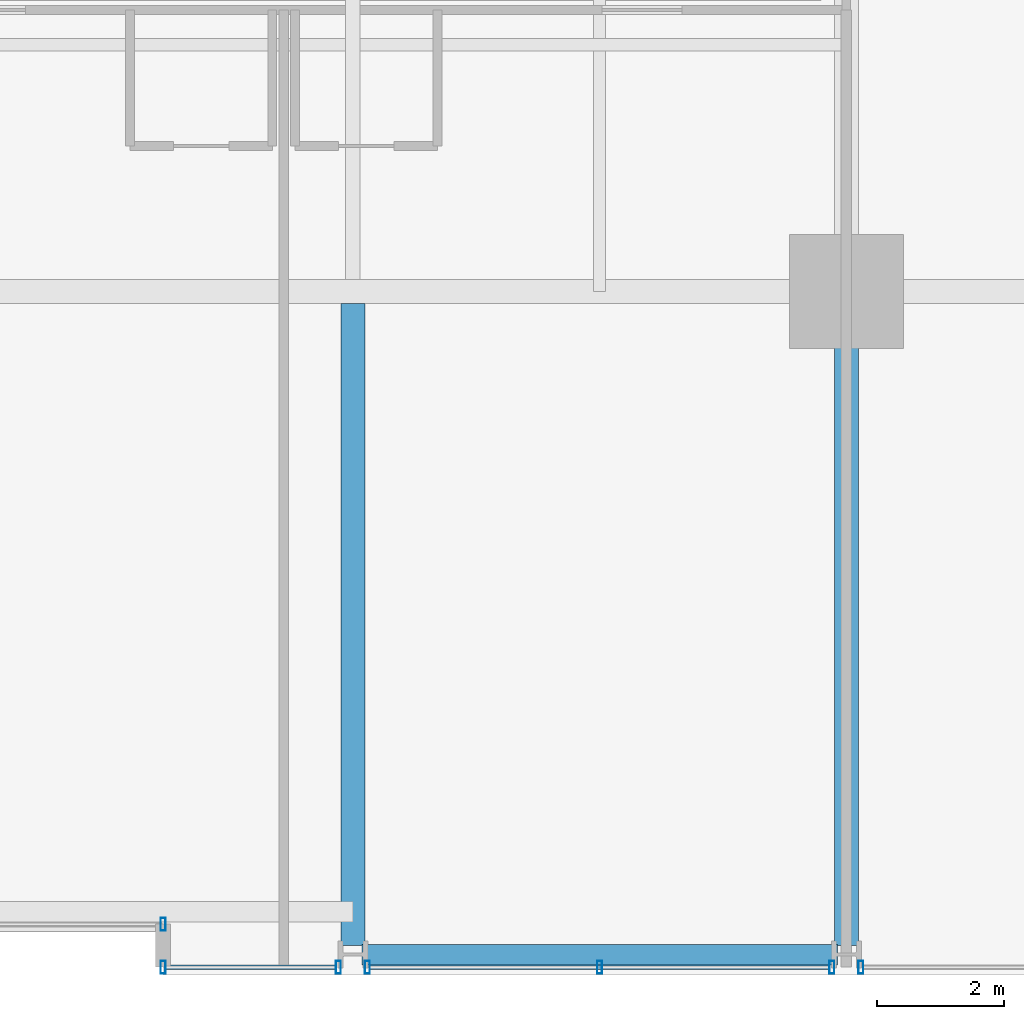
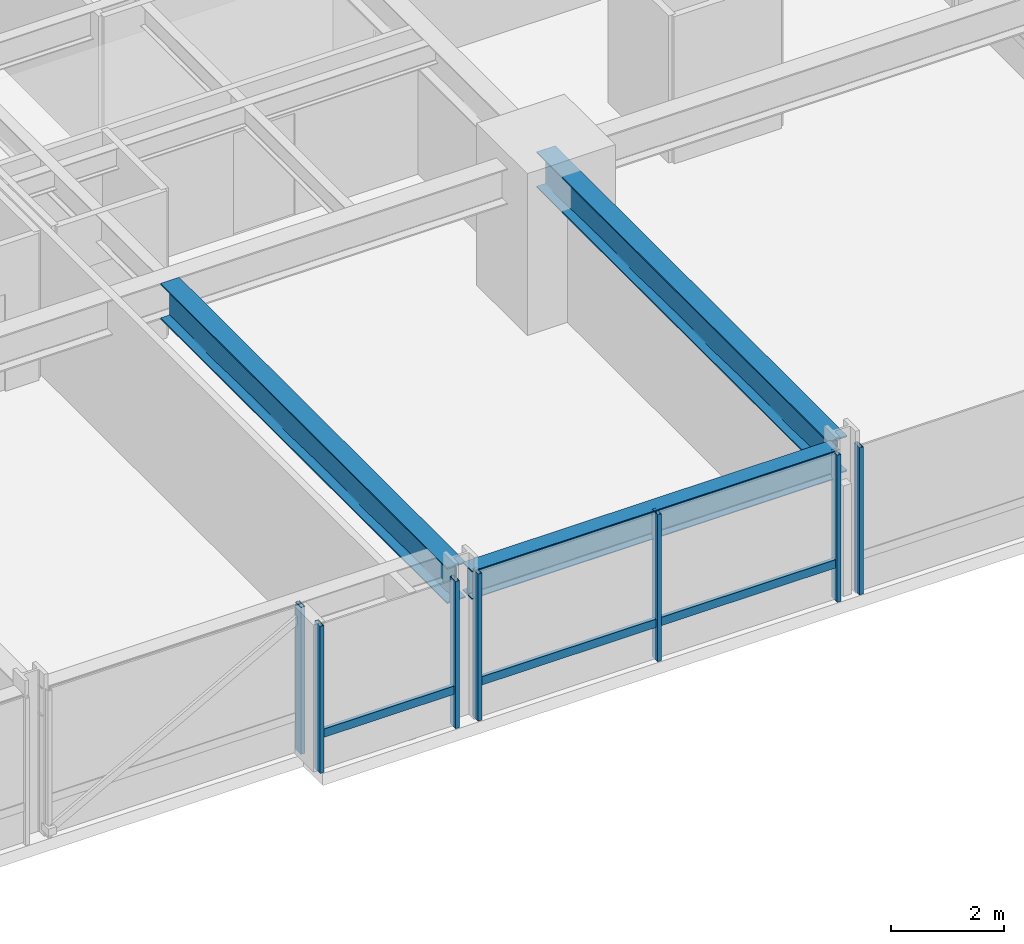
# One storey, part 11 of 37: 9 members, 3 beams, 4 elements without a shape of their own.
"""IFC4 building model written with IfcOpenShell, lengths in metres."""

from ifc_helpers import new_model, si_unit, direction, frame, origin, origin_2d, place, context, subcontext, project, spatial, hollow_rectangle, i_section, extrude, material, layer, layer_set, material_profile, profile_set, type_object, element, aggregate, save


model = new_model("IFC4")

# Units and contexts
model_context = context("Model", 3, precision=1e-05, world=origin(), true_north=direction((0.0, 1.0)))
body_context = subcontext(model_context, "Body", "Model", "MODEL_VIEW")
ifc_project = project(units=[si_unit("LENGTHUNIT", "METRE"), si_unit("AREAUNIT", "SQUARE_METRE"), si_unit("VOLUMEUNIT", "CUBIC_METRE"), si_unit("PLANEANGLEUNIT", "RADIAN"), si_unit("MASSUNIT", "GRAM", prefix="KILO")], contexts=[model_context])

# Site, building, storey
site_placement = place(None, origin())
site = spatial("IfcSite", under=ifc_project, at=site_placement, CompositionType="ELEMENT")
building_placement = place(site_placement, origin())
building = spatial("IfcBuilding", under=site, at=building_placement, Name="Drelvath Grand Hotel", CompositionType="ELEMENT")
storey_placement = place(building_placement, frame((0.0, 0.0, 78.699951171875)))
storey = spatial("IfcBuildingStorey", under=building, at=storey_placement, Name="L19", CompositionType="ELEMENT", Elevation=78.699951171875)

# Curtain wall, member
ifc_material_1 = material(Name="Warm Bronze Anodised Aluminium Frame", Category="aluminium")
ifc_layer = layer(ifc_material_1, 0.199951171875)
ifc_layer_set = layer_set([ifc_layer], Name="Warm Bronze Anodised Aluminium Frame")
curtain_wall_type = type_object("IfcCurtainWallType", Name="Stick Curtain Wall CW-02 Warm Bronze Low-Rise", PredefinedType="NOTDEFINED", material=ifc_layer_set)
curtain_wall_1_placement = place(storey_placement, origin())
curtain_wall_1 = element("IfcCurtainWall", 1, at=curtain_wall_1_placement, inside=storey, type_object=curtain_wall_type, Name="L19 CW-02 Curtain Wall CW02-L19-SE1", PredefinedType="NOTDEFINED")
ifc_material_profile_1 = material_profile(ifc_material_1, hollow_rectangle(XDim=0.074951171875, YDim=0.179931640625, WallThickness=0.0048828125, at=origin_2d()), Name="HSS180X75X5")
ifc_profile_set_1 = profile_set([ifc_material_profile_1], Name="Warm Bronze Anodised Aluminium Frame")
member_type_1 = type_object("IfcMemberType", Name="Curtain Wall Horizontal Transom CW-02 HSS180X75X5", PredefinedType="USERDEFINED", material=ifc_profile_set_1)
member_1_placement = place(storey_placement, frame((8.130859375, 0.1201171875, 0.795166015625), z_axis=(-1.0, 0.0, 0.0), x_axis=(0.0, -1.0, 0.0)))
member_1 = element("IfcMember", 2, at=member_1_placement, type_object=member_type_1, Name="CW02-L19-SE1 Sill Transom", ObjectType="TRANSOM", PredefinedType="USERDEFINED", context=body_context, shape_type="SweptSolid", body=[
    extrude(hollow_rectangle(XDim=0.074951171875, YDim=0.179931640625, WallThickness=0.0048828125, at=origin_2d()), origin(), (0.0, 0.0, 1.0), 2.69091796875),
])

curtain_wall_2_placement = place(storey_placement, origin())
curtain_wall_2 = element("IfcCurtainWall", 3, at=curtain_wall_2_placement, inside=storey, type_object=curtain_wall_type, Name="L19 CW-02 Curtain Wall CW02-L19-SE2", PredefinedType="NOTDEFINED")
member_2_placement = place(storey_placement, frame((15.930908203125, 0.1201171875, 0.795166015625), z_axis=(-1.0, 0.0, 0.0), x_axis=(0.0, -1.0, 0.0)))
member_2 = element("IfcMember", 4, at=member_2_placement, type_object=member_type_1, Name="CW02-L19-SE2 Sill Transom", ObjectType="TRANSOM", PredefinedType="USERDEFINED", context=body_context, shape_type="SweptSolid", body=[
    extrude(hollow_rectangle(XDim=0.074951171875, YDim=0.179931640625, WallThickness=0.0048828125, at=origin_2d()), origin(), (0.0, 0.0, 1.0), 7.26171875),
])

# Member
ifc_material_profile_2 = material_profile(ifc_material_1, hollow_rectangle(XDim=0.080078125, YDim=0.199951171875, WallThickness=0.0048828125, at=origin_2d()), Name="HSS200X80X5")
ifc_profile_set_2 = profile_set([ifc_material_profile_2], Name="Warm Bronze Anodised Aluminium Frame")
member_type_2 = type_object("IfcMemberType", Name="Curtain Wall Vertical Mullion CW-02 HSS200X80X5", PredefinedType="MULLION", material=ifc_profile_set_2)
member_3_placement = place(storey_placement, frame((8.1708984375, 0.1201171875, 0.0), z_axis=(0.0, 0.0, 1.0), x_axis=(1.0, 0.0, 0.0)))
member_3 = element("IfcMember", 5, at=member_3_placement, type_object=member_type_2, Name="CW02-L19-SE1 Mullion 1", PredefinedType="MULLION", context=body_context, shape_type="SweptSolid", body=[
    extrude(hollow_rectangle(XDim=0.080078125, YDim=0.199951171875, WallThickness=0.0048828125, at=origin_2d()), origin(), (0.0, 0.0, 1.0), 3.179931640625),
])

member_4_placement = place(storey_placement, frame((5.39990234375, 0.1201171875, 0.0), z_axis=(0.0, 0.0, 1.0), x_axis=(1.0, 0.0, 0.0)))
member_4 = element("IfcMember", 6, at=member_4_placement, type_object=member_type_2, Name="CW02-L19-SE1 Mullion 2", PredefinedType="MULLION", context=body_context, shape_type="SweptSolid", body=[
    extrude(hollow_rectangle(XDim=0.080078125, YDim=0.199951171875, WallThickness=0.0048828125, at=origin_2d()), origin(), (0.0, 0.0, 1.0), 3.179931640625),
])

aggregate(curtain_wall_1, [member_3, member_4, member_1])

member_5_placement = place(storey_placement, frame((15.970947265625, 0.1201171875, 0.0), z_axis=(0.0, 0.0, 1.0), x_axis=(1.0, 0.0, 0.0)))
member_5 = element("IfcMember", 7, at=member_5_placement, type_object=member_type_2, Name="CW02-L19-SE2 Mullion 1", PredefinedType="MULLION", context=body_context, shape_type="SweptSolid", body=[
    extrude(hollow_rectangle(XDim=0.080078125, YDim=0.199951171875, WallThickness=0.0048828125, at=origin_2d()), origin(), (0.0, 0.0, 1.0), 3.179931640625),
])

member_6_placement = place(storey_placement, frame((12.300048828125, 0.1201171875, 0.0), z_axis=(0.0, 0.0, 1.0), x_axis=(1.0, 0.0, 0.0)))
member_6 = element("IfcMember", 8, at=member_6_placement, type_object=member_type_2, Name="CW02-L19-SE2 Mullion 2", PredefinedType="MULLION", context=body_context, shape_type="SweptSolid", body=[
    extrude(hollow_rectangle(XDim=0.080078125, YDim=0.199951171875, WallThickness=0.0048828125, at=origin_2d()), origin(), (0.0, 0.0, 1.0), 3.179931640625),
])

member_7_placement = place(storey_placement, frame((8.629150390625, 0.1201171875, 0.0), z_axis=(0.0, 0.0, 1.0), x_axis=(1.0, 0.0, 0.0)))
member_7 = element("IfcMember", 9, at=member_7_placement, type_object=member_type_2, Name="CW02-L19-SE2 Mullion 3", PredefinedType="MULLION", context=body_context, shape_type="SweptSolid", body=[
    extrude(hollow_rectangle(XDim=0.080078125, YDim=0.199951171875, WallThickness=0.0048828125, at=origin_2d()), origin(), (0.0, 0.0, 1.0), 3.179931640625),
])

aggregate(curtain_wall_2, [member_5, member_6, member_7, member_2])

# Curtain wall, member
curtain_wall_3_placement = place(storey_placement, origin())
curtain_wall_3 = element("IfcCurtainWall", 10, at=curtain_wall_3_placement, inside=storey, type_object=curtain_wall_type, Name="L19 CW-02 Curtain Wall CW02-L19-SE3", PredefinedType="NOTDEFINED")
member_8_placement = place(storey_placement, frame((16.42919921875, 0.1201171875, 0.0), z_axis=(0.0, 0.0, 1.0), x_axis=(1.0, 0.0, 0.0)))
member_8 = element("IfcMember", 11, at=member_8_placement, type_object=member_type_2, Name="CW02-L19-SE3 Mullion 3", PredefinedType="MULLION", context=body_context, shape_type="SweptSolid", body=[
    extrude(hollow_rectangle(XDim=0.080078125, YDim=0.199951171875, WallThickness=0.0048828125, at=origin_2d()), origin(), (0.0, 0.0, 1.0), 3.179931640625),
])
aggregate(curtain_wall_3, [member_8])

curtain_wall_4_placement = place(storey_placement, origin())
curtain_wall_4 = element("IfcCurtainWall", 12, at=curtain_wall_4_placement, inside=storey, type_object=curtain_wall_type, Name="L19 CW-02 Curtain Wall CW02-L19-SM2", PredefinedType="NOTDEFINED")
member_9_placement = place(storey_placement, frame((5.39990234375, 0.800048828125, 0.0), z_axis=(0.0, 0.0, 1.0), x_axis=(1.0, 0.0, 0.0)))
member_9 = element("IfcMember", 13, at=member_9_placement, type_object=member_type_2, Name="CW02-L19-SM2 Mullion 1", PredefinedType="MULLION", context=body_context, shape_type="SweptSolid", body=[
    extrude(hollow_rectangle(XDim=0.080078125, YDim=0.199951171875, WallThickness=0.0048828125, at=origin_2d()), origin(), (0.0, 0.0, 1.0), 3.179931640625),
])
aggregate(curtain_wall_4, [member_9])

# Beams
ifc_material_2 = material(Name="Steel ASTM A992 Gr 50", Category="steel")
ifc_material_profile_3 = material_profile(ifc_material_2, i_section(OverallWidth=0.323974609375, OverallDepth=0.611083984375, WebThickness=0.0126953125, FlangeThickness=0.01904296875, FilletRadius=0.02197265625, at=origin_2d()), Name="W24X104")
ifc_profile_set_3 = profile_set([ifc_material_profile_3], Name="Steel ASTM A992 Gr 50")
beam_type_1 = type_object("IfcBeamType", Name="Perimeter Spandrel Beam W24X104", PredefinedType="SPANDREL", material=ifc_profile_set_3)
beam_1_placement = place(storey_placement, frame((8.5400390625, 0.320068359375, 2.87451171875), z_axis=(1.0, 0.0, 0.0), x_axis=(0.0, 1.0, 0.0)))
element("IfcBeam", 14, at=beam_1_placement, inside=storey, type_object=beam_type_1, Name="L19 Spandrel South E", PredefinedType="SPANDREL", context=body_context, shape_type="SweptSolid", body=[
    extrude(i_section(OverallWidth=0.323974609375, OverallDepth=0.611083984375, WebThickness=0.0126953125, FlangeThickness=0.01904296875, FilletRadius=0.02197265625, at=origin_2d()), origin(), (0.0, 0.0, 1.0), 7.52001953125),
])
ifc_material_profile_4 = material_profile(ifc_material_2, i_section(OverallWidth=0.380615234375, OverallDepth=0.773193359375, WebThickness=0.0166015625, FlangeThickness=0.027099609375, FilletRadius=0.02490234375, at=origin_2d()), Name="W30X173")
ifc_profile_set_4 = profile_set([ifc_material_profile_4], Name="Steel ASTM A992 Gr 50")
beam_type_2 = type_object("IfcBeamType", Name="Primary Floor Girder W30X173", PredefinedType="BEAM", material=ifc_profile_set_4)
beam_2_placement = place(storey_placement, frame((16.199951171875, 0.4599609375, 2.79345703125), z_axis=(0.0, 1.0, 0.0), x_axis=(-1.0, 0.0, 0.0)))
element("IfcBeam", 15, at=beam_2_placement, inside=storey, type_object=beam_type_2, Name="L19 South Grid Girder 7", PredefinedType="BEAM", context=body_context, shape_type="SweptSolid", body=[
    extrude(i_section(OverallWidth=0.380615234375, OverallDepth=0.773193359375, WebThickness=0.0166015625, FlangeThickness=0.027099609375, FilletRadius=0.02490234375, at=origin_2d()), origin(), (0.0, 0.0, 1.0), 10.340087890625),
])
beam_3_placement = place(storey_placement, frame((8.39990234375, 0.4599609375, 2.79345703125), z_axis=(0.0, 1.0, 0.0), x_axis=(-1.0, 0.0, 0.0)))
element("IfcBeam", 16, at=beam_3_placement, inside=storey, type_object=beam_type_2, Name="L19 South Wing Girder 6", PredefinedType="BEAM", context=body_context, shape_type="SweptSolid", body=[
    extrude(i_section(OverallWidth=0.380615234375, OverallDepth=0.773193359375, WebThickness=0.0166015625, FlangeThickness=0.027099609375, FilletRadius=0.02490234375, at=origin_2d()), origin(), (0.0, 0.0, 1.0), 10.149658203125),
])

save(model, "model.ifc")
